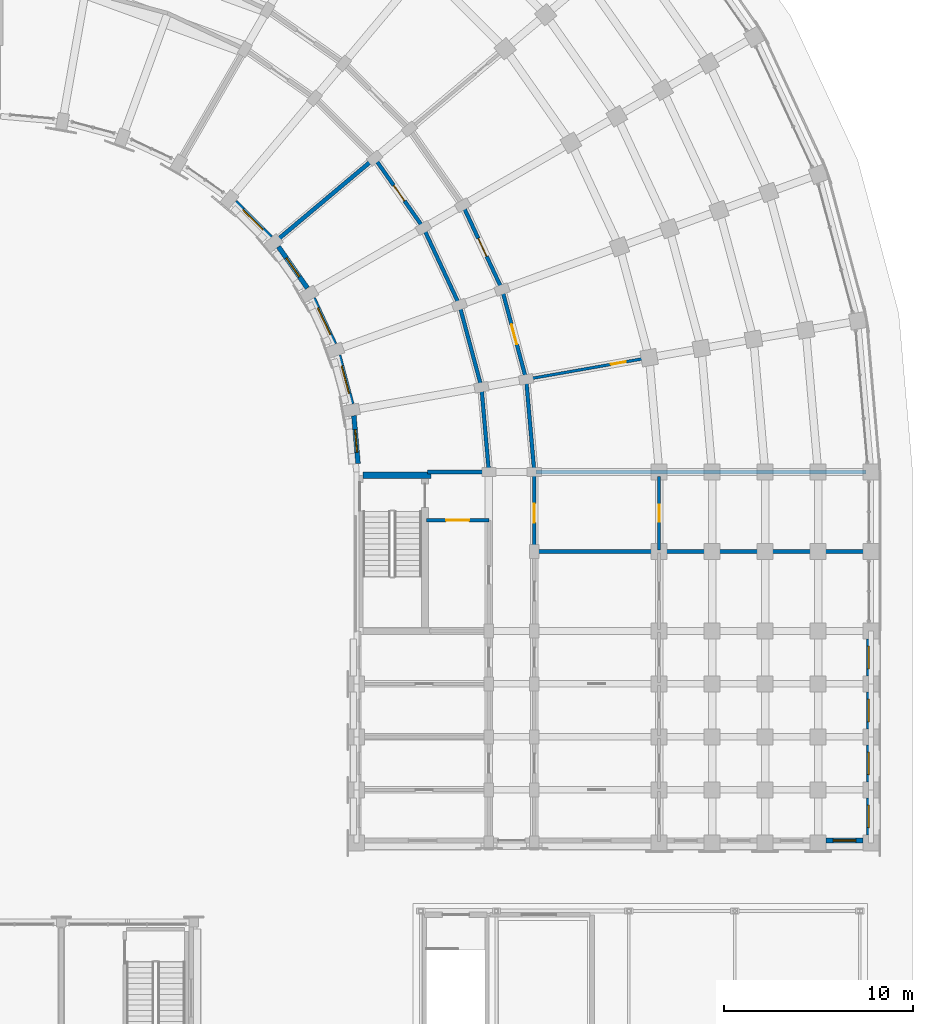
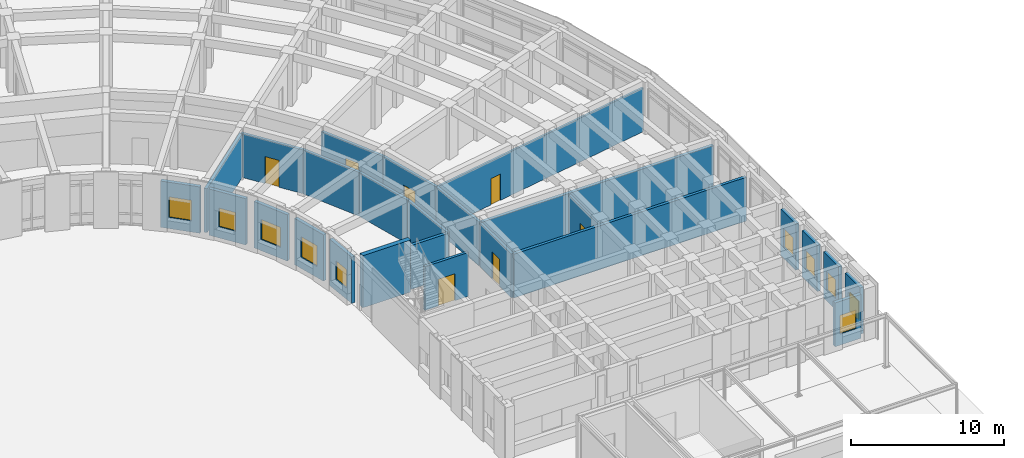
# One storey, part 109 of 135: 26 walls, 10 windows, 7 doors, 17 openings.
"""IFC4 building model written with IfcOpenShell, lengths in metres."""

from ifc_helpers import new_model, si_unit, direction, frame, frame_2d, origin, place, context, subcontext, project, spatial, rectangle, extrude, material, layer, layer_set, type_object, element, fill, save


model = new_model("IFC4")

# Units and contexts
model_context = context("Model", 3, precision=1e-05, world=origin(), true_north=direction((0.0, 1.0)))
body_context = subcontext(model_context, "Body", "Model", "MODEL_VIEW")
ifc_project = project(units=[si_unit("LENGTHUNIT", "METRE"), si_unit("AREAUNIT", "SQUARE_METRE"), si_unit("VOLUMEUNIT", "CUBIC_METRE"), si_unit("PLANEANGLEUNIT", "RADIAN"), si_unit("MASSUNIT", "GRAM", prefix="KILO")], contexts=[model_context])

# Site, building, storey
site_placement = place(None, origin())
site = spatial("IfcSite", under=ifc_project, at=site_placement, CompositionType="ELEMENT")
building_placement = place(site_placement, origin())
building = spatial("IfcBuilding", under=site, at=building_placement, Name="Kiranvali Square Residences", CompositionType="ELEMENT")
storey_placement = place(building_placement, origin())
storey = spatial("IfcBuildingStorey", under=building, at=storey_placement, Name="L00", CompositionType="ELEMENT", Elevation=0.0)

# Wall, opening, door
ifc_material_1 = material(Name="Autoclaved aerated concrete blockwork masonry", Category="masonry")
ifc_layer_1 = layer(ifc_material_1, 0.199951171875)
ifc_layer_set_1 = layer_set([ifc_layer_1], Name="Autoclaved aerated concrete blockwork masonry")
wall_type_1 = type_object("IfcWallType", Name="WL-COR-200", PredefinedType="STANDARD", material=ifc_layer_set_1)
wall_1_placement = place(storey_placement, frame((142.300048828125, 85.25, 0.0), z_axis=(0.0, 0.0, 1.0), x_axis=(1.0, 0.0, 0.0)))
wall_1 = element("IfcWall", 1, at=wall_1_placement, inside=storey, type_object=wall_type_1, Name="L00 architectural wall WL-L00-B-S3-V", PredefinedType="STANDARD", context=body_context, shape_type="SweptSolid", body=[
    extrude(rectangle(XDim=3.300048828125, YDim=0.199951171875, at=frame_2d((1.64990234375, 0.0))), origin(), (0.0, 0.0, 1.0), 3.491943359375),
])
opening_1_placement = place(wall_1_placement, frame((1.0400390625, 0.0, 0.0)))
opening_1 = element("IfcOpeningElement", 2, at=opening_1_placement, cuts=wall_1, Name="Opening FD-COR-60", PredefinedType="OPENING", context=body_context, shape_type="SweptSolid", body=[
    extrude(rectangle(XDim=1.219970703125, YDim=2.14990234375, at=frame_2d((0.60986328125, 1.074951171875))), frame((0.0, 0.10986328125, 0.0), z_axis=(0.0, -1.0, 0.0), x_axis=(1.0, 0.0, 0.0)), (0.0, 0.0, 1.0), 0.219970703125),
])
ifc_material_2 = material(Name="Fire-rated acoustic hardwood and mineral-core door assembly", Category="wood")
door_type_1 = type_object("IfcDoorType", Name="DR-FD60-1200", OperationType="NOTDEFINED", PredefinedType="DOOR", material=ifc_material_2)
door_1_placement = place(opening_1_placement, origin())
door_1 = element("IfcDoor", 3, at=door_1_placement, inside=storey, type_object=door_type_1, Name="L00 door DR-L00-0951 (DR-FD60-1200)", OperationType="SINGLE_SWING_LEFT", OverallHeight=2.14990234375, OverallWidth=1.219970703125, PredefinedType="DOOR", context=body_context, shape_type="SweptSolid", body=[
    extrude(rectangle(XDim=1.219970703125, YDim=2.14990234375, at=frame_2d((0.60986328125, 1.074951171875))), frame((0.0, 0.02490234375, 0.0), z_axis=(0.0, -1.0, 0.0), x_axis=(1.0, 0.0, 0.0)), (0.0, 0.0, 1.0), 0.050048828125),
])
fill(opening_1, door_1)

wall_2_placement = place(storey_placement, frame((139.56396484375, 104.384033203125, 0.0), z_axis=(0.0, 0.0, 1.0), x_axis=(0.573571637217, -0.819155404658, 0.0)))
wall_2 = element("IfcWall", 4, at=wall_2_placement, inside=storey, type_object=wall_type_1, Name="L00 architectural wall WL-L00-B-CCI-5", PredefinedType="STANDARD", context=body_context, shape_type="SweptSolid", body=[
    extrude(rectangle(XDim=4.497314453125, YDim=0.199951171875, at=frame_2d((2.24853515625, 0.0))), origin(), (0.0, 0.0, 1.0), 3.491943359375),
])
opening_2_placement = place(wall_2_placement, frame((1.74853515625, 0.0, 0.0)))
opening_2 = element("IfcOpeningElement", 5, at=opening_2_placement, cuts=wall_2, Name="Opening FD-APT-60", PredefinedType="OPENING", context=body_context, shape_type="SweptSolid", body=[
    extrude(rectangle(XDim=1.0, YDim=2.14990234375, at=frame_2d((0.5, 1.074951171875))), frame((0.0, 0.10986328125, 0.0), z_axis=(0.0, -1.0, 0.0), x_axis=(1.0, 0.0, 0.0)), (0.0, 0.0, 1.0), 0.219970703125),
])
door_type_2 = type_object("IfcDoorType", Name="DR-APT-1000", OperationType="NOTDEFINED", PredefinedType="DOOR", material=ifc_material_2)
door_2_placement = place(opening_2_placement, origin())
door_2 = element("IfcDoor", 6, at=door_2_placement, inside=storey, type_object=door_type_2, Name="L00 door DR-L00-0981 (DR-APT-1000)", OperationType="SINGLE_SWING_LEFT", OverallHeight=2.14990234375, OverallWidth=1.0, PredefinedType="DOOR", context=body_context, shape_type="SweptSolid", body=[
    extrude(rectangle(XDim=1.0, YDim=2.14990234375, at=frame_2d((0.5, 1.074951171875))), frame((0.0, 0.02490234375, 0.0), z_axis=(0.0, -1.0, 0.0), x_axis=(1.0, 0.0, 0.0)), (0.0, 0.0, 1.0), 0.050048828125),
])
fill(opening_2, door_2)

# Wall
wall_3_placement = place(storey_placement, frame((142.1435546875, 100.699951171875, 0.0), z_axis=(0.0, 0.0, 1.0), x_axis=(0.422617978463, -0.906307919131, 0.0)))
element("IfcWall", 7, at=wall_3_placement, inside=storey, type_object=wall_type_1, Name="L00 architectural wall WL-L00-B-CCI-6", PredefinedType="STANDARD", context=body_context, shape_type="SweptSolid", body=[
    extrude(rectangle(XDim=4.497314453125, YDim=0.199951171875, at=frame_2d((2.24853515625, 0.0))), origin(), (0.0, 0.0, 1.0), 3.491943359375),
])

# Wall, opening, door
wall_4_placement = place(storey_placement, frame((144.221923828125, 101.89990234375, 0.0), z_axis=(0.0, 0.0, 1.0), x_axis=(0.422629854778, -0.906302381024, 0.0)))
wall_4 = element("IfcWall", 8, at=wall_4_placement, inside=storey, type_object=wall_type_1, Name="L00 architectural wall WL-L00-B-CCO-6", PredefinedType="STANDARD", context=body_context, shape_type="SweptSolid", body=[
    extrude(rectangle(XDim=4.915283203125, YDim=0.199951171875, at=frame_2d((2.45751953125, 0.0))), origin(), (0.0, 0.0, 1.0), 3.491943359375),
])
opening_3_placement = place(wall_4_placement, frame((1.937744140625, 0.0, 0.0)))
opening_3 = element("IfcOpeningElement", 9, at=opening_3_placement, cuts=wall_4, Name="Opening FD-APT-60B", PredefinedType="OPENING", context=body_context, shape_type="SweptSolid", body=[
    extrude(rectangle(XDim=1.0400390625, YDim=2.14990234375, at=frame_2d((0.52001953125, 1.074951171875))), frame((0.0, 0.10986328125, 0.0), z_axis=(0.0, -1.0, 0.0), x_axis=(1.0, 0.0, 0.0)), (0.0, 0.0, 1.0), 0.219970703125),
])
door_type_3 = type_object("IfcDoorType", Name="DR-APT-1040", OperationType="NOTDEFINED", PredefinedType="DOOR", material=ifc_material_2)
door_3_placement = place(opening_3_placement, origin())
door_3 = element("IfcDoor", 10, at=door_3_placement, inside=storey, type_object=door_type_3, Name="L00 door DR-L00-0977 (DR-APT-1040)", OperationType="SINGLE_SWING_LEFT", OverallHeight=2.14990234375, OverallWidth=1.0400390625, PredefinedType="DOOR", context=body_context, shape_type="SweptSolid", body=[
    extrude(rectangle(XDim=1.0400390625, YDim=2.14990234375, at=frame_2d((0.52001953125, 1.074951171875))), frame((0.0, 0.02490234375, 0.0), z_axis=(0.0, -1.0, 0.0), x_axis=(1.0, 0.0, 0.0)), (0.0, 0.0, 1.0), 0.050048828125),
])
fill(opening_3, door_3)

# Wall
wall_5_placement = place(storey_placement, frame((144.044189453125, 96.6240234375, 0.0), z_axis=(0.0, 0.0, 1.0), x_axis=(0.258787642463, -0.965934240054, 0.0)))
element("IfcWall", 11, at=wall_5_placement, inside=storey, type_object=wall_type_1, Name="L00 architectural wall WL-L00-B-CCI-7", PredefinedType="STANDARD", context=body_context, shape_type="SweptSolid", body=[
    extrude(rectangle(XDim=4.497314453125, YDim=0.199951171875, at=frame_2d((2.24853515625, 0.0))), origin(), (0.0, 0.0, 1.0), 3.491943359375),
])

# Wall, opening, door
wall_6_placement = place(storey_placement, frame((146.29931640625, 97.445068359375, 0.0), z_axis=(0.0, 0.0, 1.0), x_axis=(0.258803112091, -0.965930095386, 0.0)))
wall_6 = element("IfcWall", 12, at=wall_6_placement, inside=storey, type_object=wall_type_1, Name="L00 architectural wall WL-L00-B-CCO-7", PredefinedType="STANDARD", context=body_context, shape_type="SweptSolid", body=[
    extrude(rectangle(XDim=4.915771484375, YDim=0.199951171875, at=frame_2d((2.4580078125, 0.0))), origin(), (0.0, 0.0, 1.0), 3.491943359375),
])
opening_4_placement = place(wall_6_placement, frame((1.917724609375, 0.0, 0.0)))
opening_4 = element("IfcOpeningElement", 13, at=opening_4_placement, cuts=wall_6, Name="Opening FD-APT-60C", PredefinedType="OPENING", context=body_context, shape_type="SweptSolid", body=[
    extrude(rectangle(XDim=1.080078125, YDim=2.14990234375, at=frame_2d((0.5400390625, 1.074951171875))), frame((0.0, 0.10986328125, 0.0), z_axis=(0.0, -1.0, 0.0), x_axis=(1.0, 0.0, 0.0)), (0.0, 0.0, 1.0), 0.219970703125),
])
door_type_4 = type_object("IfcDoorType", Name="DR-APT-1080", OperationType="NOTDEFINED", PredefinedType="DOOR", material=ifc_material_2)
door_4_placement = place(opening_4_placement, frame((1.080078125, 0.0, 0.0), z_axis=(0.0, 0.0, 1.0), x_axis=(-1.0, 0.0, 0.0)))
door_4 = element("IfcDoor", 14, at=door_4_placement, inside=storey, type_object=door_type_4, Name="L00 door DR-L00-0978 (DR-APT-1080)", OperationType="SINGLE_SWING_RIGHT", OverallHeight=2.14990234375, OverallWidth=1.080078125, PredefinedType="DOOR", context=body_context, shape_type="SweptSolid", body=[
    extrude(rectangle(XDim=1.080078125, YDim=2.14990234375, at=frame_2d((0.5400390625, 1.074951171875))), frame((0.0, 0.02490234375, 0.0), z_axis=(0.0, -1.0, 0.0), x_axis=(1.0, 0.0, 0.0)), (0.0, 0.0, 1.0), 0.050048828125),
])
fill(opening_4, door_4)

# Walls
wall_7_placement = place(storey_placement, frame((145.2080078125, 92.280029296875, 0.0), z_axis=(0.0, 0.0, 1.0), x_axis=(0.087187153726, -0.996191949488, 0.0)))
element("IfcWall", 15, at=wall_7_placement, inside=storey, type_object=wall_type_1, Name="L00 architectural wall WL-L00-B-CCI-8", PredefinedType="STANDARD", context=body_context, shape_type="SweptSolid", body=[
    extrude(rectangle(XDim=4.4970703125, YDim=0.199951171875, at=frame_2d((2.24853515625, 0.0))), origin(), (0.0, 0.0, 1.0), 3.491943359375),
])
wall_8_placement = place(storey_placement, frame((147.571533203125, 92.69677734375, 0.0), z_axis=(0.0, 0.0, 1.0), x_axis=(0.087167566415, -0.996193663584, 0.0)))
element("IfcWall", 16, at=wall_8_placement, inside=storey, type_object=wall_type_1, Name="L00 architectural wall WL-L00-B-CCO-8", PredefinedType="STANDARD", context=body_context, shape_type="SweptSolid", body=[
    extrude(rectangle(XDim=4.91552734375, YDim=0.199951171875, at=frame_2d((2.457763671875, 0.0))), origin(), (0.0, 0.0, 1.0), 3.491943359375),
])

# Wall, opening, door
wall_9_placement = place(storey_placement, frame((148.0, 87.64990234375, 0.0), z_axis=(0.0, 0.0, 1.0), x_axis=(0.0, -1.0, 0.0)))
wall_9 = element("IfcWall", 17, at=wall_9_placement, inside=storey, type_object=wall_type_1, Name="L00 architectural wall WL-L00-B-A2CF-C0", PredefinedType="STANDARD", context=body_context, shape_type="SweptSolid", body=[
    extrude(rectangle(XDim=4.0498046875, YDim=0.199951171875, at=frame_2d((2.02490234375, 0.0))), origin(), (0.0, 0.0, 1.0), 3.491943359375),
])
opening_5_placement = place(wall_9_placement, frame((1.52490234375, 0.0, 0.0)))
opening_5 = element("IfcOpeningElement", 18, at=opening_5_placement, cuts=wall_9, Name="Opening FD-APT-60", PredefinedType="OPENING", context=body_context, shape_type="SweptSolid", body=[
    extrude(rectangle(XDim=1.0, YDim=2.14990234375, at=frame_2d((0.5, 1.074951171875))), frame((0.0, 0.10986328125, 0.0), z_axis=(0.0, -1.0, 0.0), x_axis=(1.0, 0.0, 0.0)), (0.0, 0.0, 1.0), 0.219970703125),
])
door_5_placement = place(opening_5_placement, frame((1.0, 0.0, 0.0), z_axis=(0.0, 0.0, 1.0), x_axis=(-1.0, 0.0, 0.0)))
door_5 = element("IfcDoor", 19, at=door_5_placement, inside=storey, type_object=door_type_2, Name="L00 door DR-L00-0982 (DR-APT-1000)", OperationType="SINGLE_SWING_RIGHT", OverallHeight=2.14990234375, OverallWidth=1.0, PredefinedType="DOOR", context=body_context, shape_type="SweptSolid", body=[
    extrude(rectangle(XDim=1.0, YDim=2.14990234375, at=frame_2d((0.5, 1.074951171875))), frame((0.0, 0.02490234375, 0.0), z_axis=(0.0, -1.0, 0.0), x_axis=(1.0, 0.0, 0.0)), (0.0, 0.0, 1.0), 0.050048828125),
])
fill(opening_5, door_5)

# Walls
ifc_layer_2 = layer(ifc_material_1, 0.219970703125)
ifc_layer_set_2 = layer_set([ifc_layer_2], Name="Autoclaved aerated concrete blockwork masonry")
wall_type_2 = type_object("IfcWallType", Name="WL-DEM-220", PredefinedType="STANDARD", material=ifc_layer_set_2)
wall_10_placement = place(storey_placement, frame((134.354736328125, 100.012939453125, 0.0), z_axis=(0.0, 0.0, 1.0), x_axis=(0.766046761698, 0.642784846501, 0.0)))
element("IfcWall", 20, at=wall_10_placement, inside=storey, type_object=wall_type_2, Name="L00 architectural wall WL-L00-B-RADI-5", PredefinedType="STANDARD", context=body_context, shape_type="SweptSolid", body=[
    extrude(rectangle(XDim=6.75, YDim=0.219970703125, at=frame_2d((3.375, 0.0))), origin(), (0.0, 0.0, 1.0), 3.491943359375),
])
wall_11_placement = place(storey_placement, frame((142.35009765625, 87.800048828125, 0.0), z_axis=(0.0, 0.0, 1.0), x_axis=(1.0, 0.0, 0.0)))
element("IfcWall", 21, at=wall_11_placement, inside=storey, type_object=wall_type_2, Name="L00 architectural wall WL-L00-B-RADI-9", PredefinedType="STANDARD", context=body_context, shape_type="SweptSolid", body=[
    extrude(rectangle(XDim=3.199951171875, YDim=0.219970703125, at=frame_2d((1.60009765625, 0.0))), origin(), (0.0, 0.0, 1.0), 3.491943359375),
])
wall_12_placement = place(storey_placement, frame((148.050048828125, 83.60009765625, 0.0), z_axis=(0.0, 0.0, 1.0), x_axis=(1.0, 0.0, 0.0)))
element("IfcWall", 22, at=wall_12_placement, inside=storey, type_object=wall_type_2, Name="L00 architectural wall WL-L00-B-A2CF-MID", PredefinedType="STANDARD", context=body_context, shape_type="SweptSolid", body=[
    extrude(rectangle(XDim=17.530029296875, YDim=0.219970703125, at=frame_2d((8.76513671875, 0.0))), origin(), (0.0, 0.0, 1.0), 3.491943359375),
])
ifc_layer_3 = layer(ifc_material_1, 0.22998046875)
ifc_layer_set_3 = layer_set([ifc_layer_3], Name="Autoclaved aerated concrete blockwork masonry")
wall_type_3 = type_object("IfcWallType", Name="WL-DEM-230", PredefinedType="STANDARD", material=ifc_layer_set_3)
wall_13_placement = place(storey_placement, frame((148.10009765625, 87.800048828125, 0.0), z_axis=(0.0, 0.0, 1.0), x_axis=(1.0, 0.0, 0.0)))
element("IfcWall", 23, at=wall_13_placement, inside=storey, type_object=wall_type_3, Name="L00 architectural wall WL-L00-B-RADO-9", PredefinedType="STANDARD", context=body_context, shape_type="SweptSolid", body=[
    extrude(rectangle(XDim=17.419921875, YDim=0.22998046875, at=frame_2d((8.7099609375, 0.0))), origin(), (0.0, 0.0, 1.0), 3.491943359375),
])

# Wall, opening, window
ifc_material_3 = material(Name="Breathable lime-rendered clay brick masonry", Category="masonry")
ifc_layer_4 = layer(ifc_material_3, 0.25)
ifc_layer_set_4 = layer_set([ifc_layer_4], Name="Breathable lime-rendered clay brick masonry")
wall_type_4 = type_object("IfcWallType", Name="WL-EXT-250", PredefinedType="STANDARD", material=ifc_layer_set_4)
wall_14_placement = place(storey_placement, frame((132.1875, 102.0751953125, 0.0), z_axis=(0.0, 0.0, 1.0), x_axis=(0.707106781187, -0.707106781187, 0.0)))
wall_14 = element("IfcWall", 24, at=wall_14_placement, inside=storey, type_object=wall_type_4, Name="L00 exterior wall B-L00-GDN-04", PredefinedType="STANDARD", context=body_context, shape_type="SweptSolid", body=[
    extrude(rectangle(XDim=2.669677734375, YDim=0.25, at=frame_2d((1.3349609375, 0.0))), origin(), (0.0, 0.0, 1.0), 3.69189453125),
])
opening_6_placement = place(wall_14_placement, frame((0.584716796875, 0.0, 0.8798828125)))
opening_6 = element("IfcOpeningElement", 25, at=opening_6_placement, cuts=wall_14, Name="Opening W-05", PredefinedType="OPENING", context=body_context, shape_type="SweptSolid", body=[
    extrude(rectangle(XDim=1.5, YDim=1.64990234375, at=frame_2d((0.75, 0.824951171875))), frame((0.0, 0.135009765625, 0.0), z_axis=(0.0, -1.0, 0.0), x_axis=(1.0, 0.0, 0.0)), (0.0, 0.0, 1.0), 0.27001953125),
])
ifc_material_4 = material(Name="Solar-control low-e double glazing", Category="glass")
window_type_1 = type_object("IfcWindowType", Name="WIN-RES-1500x1650", PartitioningType="DOUBLE_PANEL_VERTICAL", PredefinedType="WINDOW", material=ifc_material_4)
window_1_placement = place(opening_6_placement, origin())
window_1 = element("IfcWindow", 26, at=window_1_placement, inside=storey, type_object=window_type_1, Name="L00 recessed window B-L00-GDN-04", OverallHeight=1.64990234375, OverallWidth=1.5, PartitioningType="DOUBLE_PANEL_VERTICAL", PredefinedType="WINDOW", context=body_context, shape_type="SweptSolid", body=[
    extrude(rectangle(XDim=1.5, YDim=1.64990234375, at=frame_2d((0.75, 0.824951171875))), frame((0.0, 0.030029296875, 0.0), z_axis=(0.0, -1.0, 0.0), x_axis=(1.0, 0.0, 0.0)), (0.0, 0.0, 1.0), 0.06005859375),
])
fill(opening_6, window_1)

wall_15_placement = place(storey_placement, frame((134.478271484375, 99.707275390625, 0.0), z_axis=(0.0, 0.0, 1.0), x_axis=(0.573591230309, -0.819141685249, 0.0)))
wall_15 = element("IfcWall", 27, at=wall_15_placement, inside=storey, type_object=wall_type_4, Name="L00 exterior wall B-L00-GDN-05", PredefinedType="STANDARD", context=body_context, shape_type="SweptSolid", body=[
    extrude(rectangle(XDim=2.669677734375, YDim=0.25, at=frame_2d((1.3349609375, 0.0))), origin(), (0.0, 0.0, 1.0), 3.69189453125),
])
opening_7_placement = place(wall_15_placement, frame((0.73486328125, 0.0, 0.8798828125)))
opening_7 = element("IfcOpeningElement", 28, at=opening_7_placement, cuts=wall_15, Name="Opening W-06", PredefinedType="OPENING", context=body_context, shape_type="SweptSolid", body=[
    extrude(rectangle(XDim=1.199951171875, YDim=1.5, at=frame_2d((0.60009765625, 0.75))), frame((0.0, 0.135009765625, 0.0), z_axis=(0.0, -1.0, 0.0), x_axis=(1.0, 0.0, 0.0)), (0.0, 0.0, 1.0), 0.27001953125),
])
window_type_2 = type_object("IfcWindowType", Name="WIN-RES-1200x1500", PartitioningType="SINGLE_PANEL", PredefinedType="WINDOW", material=ifc_material_4)
window_2_placement = place(opening_7_placement, origin())
window_2 = element("IfcWindow", 29, at=window_2_placement, inside=storey, type_object=window_type_2, Name="L00 recessed window B-L00-GDN-05", OverallHeight=1.5, OverallWidth=1.199951171875, PartitioningType="SINGLE_PANEL", PredefinedType="WINDOW", context=body_context, shape_type="SweptSolid", body=[
    extrude(rectangle(XDim=1.199951171875, YDim=1.5, at=frame_2d((0.60009765625, 0.75))), frame((0.0, 0.030029296875, 0.0), z_axis=(0.0, -1.0, 0.0), x_axis=(1.0, 0.0, 0.0)), (0.0, 0.0, 1.0), 0.06005859375),
])
fill(opening_7, window_2)

wall_16_placement = place(storey_placement, frame((136.322998046875, 96.9775390625, 0.0), z_axis=(0.0, 0.0, 1.0), x_axis=(0.422610081738, -0.90631160139, 0.0)))
wall_16 = element("IfcWall", 30, at=wall_16_placement, inside=storey, type_object=wall_type_4, Name="L00 exterior wall B-L00-GDN-06", PredefinedType="STANDARD", context=body_context, shape_type="SweptSolid", body=[
    extrude(rectangle(XDim=2.66943359375, YDim=0.25, at=frame_2d((1.334716796875, 0.0))), origin(), (0.0, 0.0, 1.0), 3.69189453125),
])
opening_8_placement = place(wall_16_placement, frame((0.559814453125, 0.0, 0.8798828125)))
opening_8 = element("IfcOpeningElement", 31, at=opening_8_placement, cuts=wall_16, Name="Opening W-18", PredefinedType="OPENING", context=body_context, shape_type="SweptSolid", body=[
    extrude(rectangle(XDim=1.550048828125, YDim=1.60009765625, at=frame_2d((0.77490234375, 0.800048828125))), frame((0.0, 0.135009765625, 0.0), z_axis=(0.0, -1.0, 0.0), x_axis=(1.0, 0.0, 0.0)), (0.0, 0.0, 1.0), 0.27001953125),
])
window_type_3 = type_object("IfcWindowType", Name="WIN-GDN-1550x1600", PartitioningType="DOUBLE_PANEL_VERTICAL", PredefinedType="WINDOW", material=ifc_material_4)
window_3_placement = place(opening_8_placement, origin())
window_3 = element("IfcWindow", 32, at=window_3_placement, inside=storey, type_object=window_type_3, Name="L00 recessed window B-L00-GDN-06", OverallHeight=1.60009765625, OverallWidth=1.550048828125, PartitioningType="DOUBLE_PANEL_VERTICAL", PredefinedType="WINDOW", context=body_context, shape_type="SweptSolid", body=[
    extrude(rectangle(XDim=1.550048828125, YDim=1.60009765625, at=frame_2d((0.77490234375, 0.800048828125))), frame((0.0, 0.030029296875, 0.0), z_axis=(0.0, -1.0, 0.0), x_axis=(1.0, 0.0, 0.0)), (0.0, 0.0, 1.0), 0.06005859375),
])
fill(opening_8, window_3)

wall_17_placement = place(storey_placement, frame((137.66552734375, 93.968994140625, 0.0), z_axis=(0.0, 0.0, 1.0), x_axis=(0.258812272661, -0.965927640934, 0.0)))
wall_17 = element("IfcWall", 33, at=wall_17_placement, inside=storey, type_object=wall_type_4, Name="L00 exterior wall B-L00-GDN-07", PredefinedType="STANDARD", context=body_context, shape_type="SweptSolid", body=[
    extrude(rectangle(XDim=2.669677734375, YDim=0.25, at=frame_2d((1.3349609375, 0.0))), origin(), (0.0, 0.0, 1.0), 3.69189453125),
])
opening_9_placement = place(wall_17_placement, frame((0.584716796875, 0.0, 0.8798828125)))
opening_9 = element("IfcOpeningElement", 34, at=opening_9_placement, cuts=wall_17, Name="Opening W-05", PredefinedType="OPENING", context=body_context, shape_type="SweptSolid", body=[
    extrude(rectangle(XDim=1.5, YDim=1.64990234375, at=frame_2d((0.75, 0.824951171875))), frame((0.0, 0.135009765625, 0.0), z_axis=(0.0, -1.0, 0.0), x_axis=(1.0, 0.0, 0.0)), (0.0, 0.0, 1.0), 0.27001953125),
])
window_4_placement = place(opening_9_placement, origin())
window_4 = element("IfcWindow", 35, at=window_4_placement, inside=storey, type_object=window_type_1, Name="L00 recessed window B-L00-GDN-07", OverallHeight=1.64990234375, OverallWidth=1.5, PartitioningType="DOUBLE_PANEL_VERTICAL", PredefinedType="WINDOW", context=body_context, shape_type="SweptSolid", body=[
    extrude(rectangle(XDim=1.5, YDim=1.64990234375, at=frame_2d((0.75, 0.824951171875))), frame((0.0, 0.030029296875, 0.0), z_axis=(0.0, -1.0, 0.0), x_axis=(1.0, 0.0, 0.0)), (0.0, 0.0, 1.0), 0.06005859375),
])
fill(opening_9, window_4)

wall_18_placement = place(storey_placement, frame((138.46533203125, 90.77294921875, 0.0), z_axis=(0.0, 0.0, 1.0), x_axis=(0.087215965161, -0.996189427479, 0.0)))
wall_18 = element("IfcWall", 36, at=wall_18_placement, inside=storey, type_object=wall_type_4, Name="L00 exterior wall B-L00-GDN-08", PredefinedType="STANDARD", context=body_context, shape_type="SweptSolid", body=[
    extrude(rectangle(XDim=2.533447265625, YDim=0.25, at=frame_2d((1.2666015625, 0.0))), origin(), (0.0, 0.0, 1.0), 3.69189453125),
])
opening_10_placement = place(wall_18_placement, frame((0.73486328125, 0.0, 0.8798828125)))
opening_10 = element("IfcOpeningElement", 37, at=opening_10_placement, cuts=wall_18, Name="Opening W-06", PredefinedType="OPENING", context=body_context, shape_type="SweptSolid", body=[
    extrude(rectangle(XDim=1.199951171875, YDim=1.5, at=frame_2d((0.60009765625, 0.75))), frame((0.0, 0.135009765625, 0.0), z_axis=(0.0, -1.0, 0.0), x_axis=(1.0, 0.0, 0.0)), (0.0, 0.0, 1.0), 0.27001953125),
])
window_5_placement = place(opening_10_placement, origin())
window_5 = element("IfcWindow", 38, at=window_5_placement, inside=storey, type_object=window_type_2, Name="L00 recessed window B-L00-GDN-08", OverallHeight=1.5, OverallWidth=1.199951171875, PartitioningType="SINGLE_PANEL", PredefinedType="WINDOW", context=body_context, shape_type="SweptSolid", body=[
    extrude(rectangle(XDim=1.199951171875, YDim=1.5, at=frame_2d((0.60009765625, 0.75))), frame((0.0, 0.030029296875, 0.0), z_axis=(0.0, -1.0, 0.0), x_axis=(1.0, 0.0, 0.0)), (0.0, 0.0, 1.0), 0.06005859375),
])
fill(opening_10, window_5)

wall_19_placement = place(storey_placement, frame((165.675048828125, 78.97998046875, 0.0), z_axis=(0.0, 0.0, 1.0), x_axis=(0.0, -1.0, 0.0)))
wall_19 = element("IfcWall", 39, at=wall_19_placement, inside=storey, type_object=wall_type_4, Name="L00 exterior wall B-L00-A2O-2", PredefinedType="STANDARD", context=body_context, shape_type="SweptSolid", body=[
    extrude(rectangle(XDim=1.9599609375, YDim=0.25, at=frame_2d((0.97998046875, 0.0))), origin(), (0.0, 0.0, 1.0), 3.69189453125),
])
opening_11_placement = place(wall_19_placement, frame((0.3798828125, 0.0, 0.8798828125)))
opening_11 = element("IfcOpeningElement", 40, at=opening_11_placement, cuts=wall_19, Name="Opening W-06", PredefinedType="OPENING", context=body_context, shape_type="SweptSolid", body=[
    extrude(rectangle(XDim=1.199951171875, YDim=1.5, at=frame_2d((0.60009765625, 0.75))), frame((0.0, 0.135009765625, 0.0), z_axis=(0.0, -1.0, 0.0), x_axis=(1.0, 0.0, 0.0)), (0.0, 0.0, 1.0), 0.27001953125),
])
window_6_placement = place(opening_11_placement, origin())
window_6 = element("IfcWindow", 41, at=window_6_placement, inside=storey, type_object=window_type_2, Name="L00 recessed window B-L00-A2O-2", OverallHeight=1.5, OverallWidth=1.199951171875, PartitioningType="SINGLE_PANEL", PredefinedType="WINDOW", context=body_context, shape_type="SweptSolid", body=[
    extrude(rectangle(XDim=1.199951171875, YDim=1.5, at=frame_2d((0.60009765625, 0.75))), frame((0.0, 0.030029296875, 0.0), z_axis=(0.0, -1.0, 0.0), x_axis=(1.0, 0.0, 0.0)), (0.0, 0.0, 1.0), 0.06005859375),
])
fill(opening_11, window_6)

wall_20_placement = place(storey_placement, frame((165.675048828125, 76.179931640625, 0.0), z_axis=(0.0, 0.0, 1.0), x_axis=(0.0, -1.0, 0.0)))
wall_20 = element("IfcWall", 42, at=wall_20_placement, inside=storey, type_object=wall_type_4, Name="L00 exterior wall B-L00-A2O-3", PredefinedType="STANDARD", context=body_context, shape_type="SweptSolid", body=[
    extrude(rectangle(XDim=1.9599609375, YDim=0.25, at=frame_2d((0.97998046875, 0.0))), origin(), (0.0, 0.0, 1.0), 3.69189453125),
])
opening_12_placement = place(wall_20_placement, frame((0.3798828125, 0.0, 0.8798828125)))
opening_12 = element("IfcOpeningElement", 43, at=opening_12_placement, cuts=wall_20, Name="Opening W-06", PredefinedType="OPENING", context=body_context, shape_type="SweptSolid", body=[
    extrude(rectangle(XDim=1.199951171875, YDim=1.5, at=frame_2d((0.60009765625, 0.75))), frame((0.0, 0.135009765625, 0.0), z_axis=(0.0, -1.0, 0.0), x_axis=(1.0, 0.0, 0.0)), (0.0, 0.0, 1.0), 0.27001953125),
])
window_7_placement = place(opening_12_placement, origin())
window_7 = element("IfcWindow", 44, at=window_7_placement, inside=storey, type_object=window_type_2, Name="L00 recessed window B-L00-A2O-3", OverallHeight=1.5, OverallWidth=1.199951171875, PartitioningType="SINGLE_PANEL", PredefinedType="WINDOW", context=body_context, shape_type="SweptSolid", body=[
    extrude(rectangle(XDim=1.199951171875, YDim=1.5, at=frame_2d((0.60009765625, 0.75))), frame((0.0, 0.030029296875, 0.0), z_axis=(0.0, -1.0, 0.0), x_axis=(1.0, 0.0, 0.0)), (0.0, 0.0, 1.0), 0.06005859375),
])
fill(opening_12, window_7)

wall_21_placement = place(storey_placement, frame((165.675048828125, 73.3798828125, 0.0), z_axis=(0.0, 0.0, 1.0), x_axis=(0.0, -1.0, 0.0)))
wall_21 = element("IfcWall", 45, at=wall_21_placement, inside=storey, type_object=wall_type_4, Name="L00 exterior wall B-L00-A2O-4", PredefinedType="STANDARD", context=body_context, shape_type="SweptSolid", body=[
    extrude(rectangle(XDim=1.9599609375, YDim=0.25, at=frame_2d((0.97998046875, 0.0))), origin(), (0.0, 0.0, 1.0), 3.69189453125),
])
opening_13_placement = place(wall_21_placement, frame((0.3798828125, 0.0, 0.8798828125)))
opening_13 = element("IfcOpeningElement", 46, at=opening_13_placement, cuts=wall_21, Name="Opening W-06", PredefinedType="OPENING", context=body_context, shape_type="SweptSolid", body=[
    extrude(rectangle(XDim=1.199951171875, YDim=1.5, at=frame_2d((0.60009765625, 0.75))), frame((0.0, 0.135009765625, 0.0), z_axis=(0.0, -1.0, 0.0), x_axis=(1.0, 0.0, 0.0)), (0.0, 0.0, 1.0), 0.27001953125),
])
window_8_placement = place(opening_13_placement, origin())
window_8 = element("IfcWindow", 47, at=window_8_placement, inside=storey, type_object=window_type_2, Name="L00 recessed window B-L00-A2O-4", OverallHeight=1.5, OverallWidth=1.199951171875, PartitioningType="SINGLE_PANEL", PredefinedType="WINDOW", context=body_context, shape_type="SweptSolid", body=[
    extrude(rectangle(XDim=1.199951171875, YDim=1.5, at=frame_2d((0.60009765625, 0.75))), frame((0.0, 0.030029296875, 0.0), z_axis=(0.0, -1.0, 0.0), x_axis=(1.0, 0.0, 0.0)), (0.0, 0.0, 1.0), 0.06005859375),
])
fill(opening_13, window_8)

wall_22_placement = place(storey_placement, frame((165.675048828125, 70.580078125, 0.0), z_axis=(0.0, 0.0, 1.0), x_axis=(0.0, -1.0, 0.0)))
wall_22 = element("IfcWall", 48, at=wall_22_placement, inside=storey, type_object=wall_type_4, Name="L00 exterior wall B-L00-A2O-5", PredefinedType="STANDARD", context=body_context, shape_type="SweptSolid", body=[
    extrude(rectangle(XDim=1.9599609375, YDim=0.25, at=frame_2d((0.97998046875, 0.0))), origin(), (0.0, 0.0, 1.0), 3.69189453125),
])
opening_14_placement = place(wall_22_placement, frame((0.3798828125, 0.0, 0.8798828125)))
opening_14 = element("IfcOpeningElement", 49, at=opening_14_placement, cuts=wall_22, Name="Opening W-06", PredefinedType="OPENING", context=body_context, shape_type="SweptSolid", body=[
    extrude(rectangle(XDim=1.199951171875, YDim=1.5, at=frame_2d((0.60009765625, 0.75))), frame((0.0, 0.135009765625, 0.0), z_axis=(0.0, -1.0, 0.0), x_axis=(1.0, 0.0, 0.0)), (0.0, 0.0, 1.0), 0.27001953125),
])
window_9_placement = place(opening_14_placement, origin())
window_9 = element("IfcWindow", 50, at=window_9_placement, inside=storey, type_object=window_type_2, Name="L00 recessed window B-L00-A2O-5", OverallHeight=1.5, OverallWidth=1.199951171875, PartitioningType="SINGLE_PANEL", PredefinedType="WINDOW", context=body_context, shape_type="SweptSolid", body=[
    extrude(rectangle(XDim=1.199951171875, YDim=1.5, at=frame_2d((0.60009765625, 0.75))), frame((0.0, 0.030029296875, 0.0), z_axis=(0.0, -1.0, 0.0), x_axis=(1.0, 0.0, 0.0)), (0.0, 0.0, 1.0), 0.06005859375),
])
fill(opening_14, window_9)

wall_23_placement = place(storey_placement, frame((163.419921875, 68.324951171875, 0.0), z_axis=(0.0, 0.0, 1.0), x_axis=(1.0, 0.0, 0.0)))
wall_23 = element("IfcWall", 51, at=wall_23_placement, inside=storey, type_object=wall_type_4, Name="L00 exterior wall B-L00-A2END-6", PredefinedType="STANDARD", context=body_context, shape_type="SweptSolid", body=[
    extrude(rectangle(XDim=1.9599609375, YDim=0.25, at=frame_2d((0.97998046875, 0.0))), origin(), (0.0, 0.0, 1.0), 3.491943359375),
])
opening_15_placement = place(wall_23_placement, frame((0.3798828125, 0.0, 0.8798828125)))
opening_15 = element("IfcOpeningElement", 52, at=opening_15_placement, cuts=wall_23, Name="Opening W-06", PredefinedType="OPENING", context=body_context, shape_type="SweptSolid", body=[
    extrude(rectangle(XDim=1.199951171875, YDim=1.5, at=frame_2d((0.60009765625, 0.75))), frame((0.0, 0.135009765625, 0.0), z_axis=(0.0, -1.0, 0.0), x_axis=(1.0, 0.0, 0.0)), (0.0, 0.0, 1.0), 0.27001953125),
])
window_10_placement = place(opening_15_placement, origin())
window_10 = element("IfcWindow", 53, at=window_10_placement, inside=storey, type_object=window_type_2, Name="L00 recessed window B-L00-A2END-6", OverallHeight=1.5, OverallWidth=1.199951171875, PartitioningType="SINGLE_PANEL", PredefinedType="WINDOW", context=body_context, shape_type="SweptSolid", body=[
    extrude(rectangle(XDim=1.199951171875, YDim=1.5, at=frame_2d((0.60009765625, 0.75))), frame((0.0, 0.030029296875, 0.0), z_axis=(0.0, -1.0, 0.0), x_axis=(1.0, 0.0, 0.0)), (0.0, 0.0, 1.0), 0.06005859375),
])
fill(opening_15, window_10)

# Wall, opening, door
ifc_material_5 = material(Name="Acoustic gypsum board drylined partition", Category="gypsum")
ifc_layer_5 = layer(ifc_material_5, 0.14990234375)
ifc_layer_set_5 = layer_set([ifc_layer_5], Name="Acoustic gypsum board drylined partition")
wall_type_5 = type_object("IfcWallType", Name="WL-PRT-150", PredefinedType="PARTITIONING", material=ifc_layer_set_5)
wall_24_placement = place(storey_placement, frame((147.670166015625, 92.71435546875, 0.0), z_axis=(0.0, 0.0, 1.0), x_axis=(0.984808098809, 0.173646216546, 0.0)))
wall_24 = element("IfcWall", 54, at=wall_24_placement, inside=storey, type_object=wall_type_5, Name="L00 architectural wall WL-L00-B-RADO-8", PredefinedType="PARTITIONING", context=body_context, shape_type="SweptSolid", body=[
    extrude(rectangle(XDim=17.419921875, YDim=0.14990234375, at=frame_2d((8.7099609375, 0.0))), origin(), (0.0, 0.0, 1.0), 3.491943359375),
])
opening_16_placement = place(wall_24_placement, frame((4.44970703125, 0.0, 0.0)))
opening_16 = element("IfcOpeningElement", 55, at=opening_16_placement, cuts=wall_24, Name="Opening ID-WET", PredefinedType="OPENING", context=body_context, shape_type="SweptSolid", body=[
    extrude(rectangle(XDim=0.800048828125, YDim=2.10009765625, at=frame_2d((0.39990234375, 1.050048828125))), frame((0.0, 0.0849609375, 0.0), z_axis=(0.0, -1.0, 0.0), x_axis=(1.0, 0.0, 0.0)), (0.0, 0.0, 1.0), 0.169921875),
])
ifc_material_6 = material(Name="Solid seasoned teak hardwood joinery", Category="wood")
door_type_5 = type_object("IfcDoorType", Name="DR-WET-800", OperationType="NOTDEFINED", PredefinedType="DOOR", material=ifc_material_6)
door_6_placement = place(opening_16_placement, origin())
door_6 = element("IfcDoor", 56, at=door_6_placement, inside=storey, type_object=door_type_5, Name="L00 door DR-L00-0973 (DR-WET-800)", OperationType="SINGLE_SWING_LEFT", OverallHeight=2.10009765625, OverallWidth=0.800048828125, PredefinedType="DOOR", context=body_context, shape_type="SweptSolid", body=[
    extrude(rectangle(XDim=0.800048828125, YDim=2.10009765625, at=frame_2d((0.39990234375, 1.050048828125))), frame((0.0, 0.02490234375, 0.0), z_axis=(0.0, -1.0, 0.0), x_axis=(1.0, 0.0, 0.0)), (0.0, 0.0, 1.0), 0.050048828125),
])
fill(opening_16, door_6)

wall_25_placement = place(storey_placement, frame((154.60009765625, 87.570068359375, 0.0), z_axis=(0.0, 0.0, 1.0), x_axis=(0.0, -1.0, 0.0)))
wall_25 = element("IfcWall", 57, at=wall_25_placement, inside=storey, type_object=wall_type_5, Name="L00 architectural wall WL-L00-B-A2CF-SP0", PredefinedType="PARTITIONING", context=body_context, shape_type="SweptSolid", body=[
    extrude(rectangle(XDim=3.89013671875, YDim=0.14990234375, at=frame_2d((1.945068359375, 0.0))), origin(), (0.0, 0.0, 1.0), 3.491943359375),
])
opening_17_placement = place(wall_25_placement, frame((1.4951171875, 0.0, 0.0)))
opening_17 = element("IfcOpeningElement", 58, at=opening_17_placement, cuts=wall_25, Name="Opening ID-1", PredefinedType="OPENING", context=body_context, shape_type="SweptSolid", body=[
    extrude(rectangle(XDim=0.89990234375, YDim=2.10009765625, at=frame_2d((0.449951171875, 1.050048828125))), frame((0.0, 0.0849609375, 0.0), z_axis=(0.0, -1.0, 0.0), x_axis=(1.0, 0.0, 0.0)), (0.0, 0.0, 1.0), 0.169921875),
])
door_type_6 = type_object("IfcDoorType", Name="DR-INT-900", OperationType="NOTDEFINED", PredefinedType="DOOR", material=ifc_material_6)
door_7_placement = place(opening_17_placement, origin())
door_7 = element("IfcDoor", 59, at=door_7_placement, inside=storey, type_object=door_type_6, Name="L00 door DR-L00-0983 (DR-INT-900)", OperationType="SINGLE_SWING_LEFT", OverallHeight=2.10009765625, OverallWidth=0.89990234375, PredefinedType="DOOR", context=body_context, shape_type="SweptSolid", body=[
    extrude(rectangle(XDim=0.89990234375, YDim=2.10009765625, at=frame_2d((0.449951171875, 1.050048828125))), frame((0.0, 0.02490234375, 0.0), z_axis=(0.0, -1.0, 0.0), x_axis=(1.0, 0.0, 0.0)), (0.0, 0.0, 1.0), 0.050048828125),
])
fill(opening_17, door_7)

# Wall
ifc_material_7 = material(Name="Concrete M50 (50 MPa)", Category="concrete")
ifc_layer_6 = layer(ifc_material_7, 0.35009765625)
ifc_layer_set_6 = layer_set([ifc_layer_6], Name="Concrete M50 (50 MPa)")
wall_type_6 = type_object("IfcWallType", Name="WL-SHR-350", PredefinedType="SHEAR", material=ifc_layer_set_6)
wall_26_placement = place(storey_placement, frame((138.949951171875, 87.625, 0.0), z_axis=(0.0, 0.0, 1.0), x_axis=(1.0, 0.0, 0.0)))
element("IfcWall", 60, at=wall_26_placement, inside=storey, type_object=wall_type_6, Name="Block B core shear wall SW-B3-NEAR-L00", PredefinedType="SHEAR", context=body_context, shape_type="SweptSolid", body=[
    extrude(rectangle(XDim=3.60009765625, YDim=0.35009765625, at=frame_2d((1.800048828125, 0.0))), origin(), (0.0, 0.0, 1.0), 4.14990234375),
])

save(model, "model.ifc")
